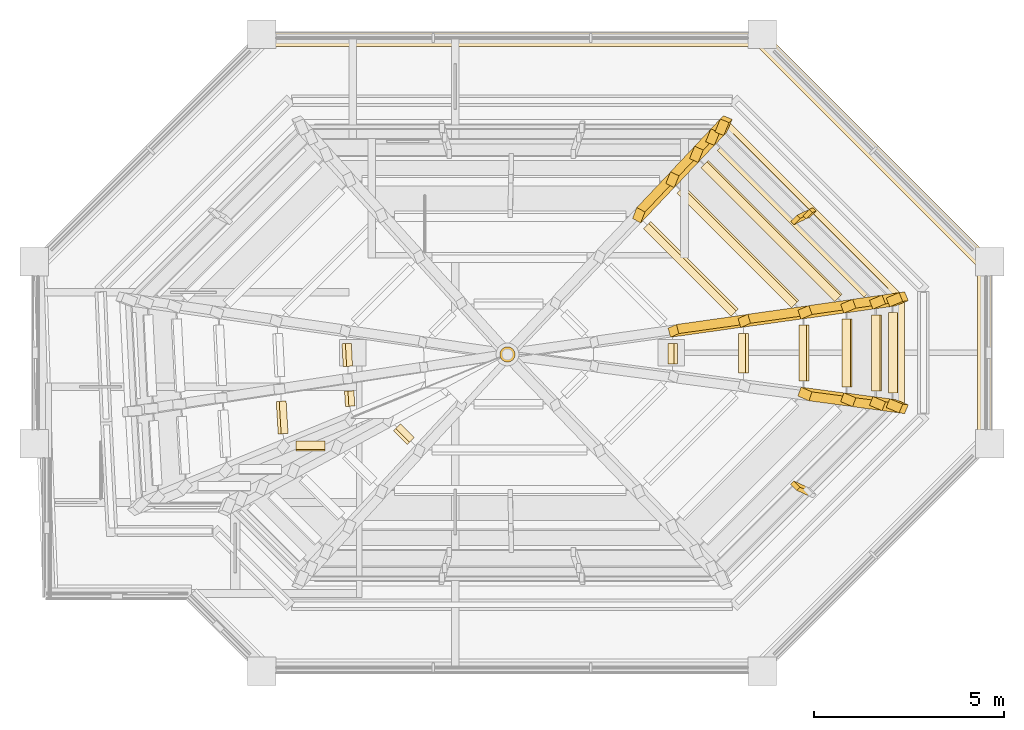
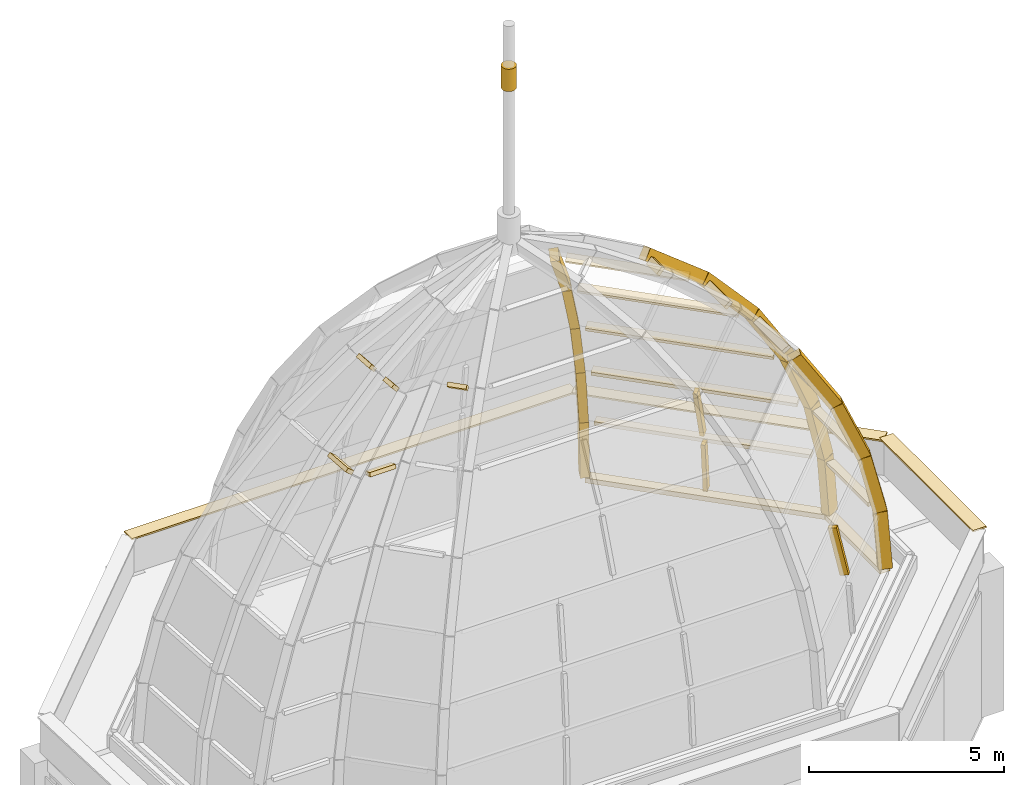
# One storey, part 9 of 9: 40 coverings.
"""IFC4 building model written with IfcOpenShell, lengths in metres."""

from ifc_helpers import new_model, si_unit, direction, frame, origin, origin_2d, place, context, subcontext, project, spatial, polyline, rectangle, circle, outline, extrude, material, layer, layer_set, material_profile, profile_set, type_object, element, save


model = new_model("IFC4")

# Units and contexts
model_context = context("Model", 3, precision=1e-05, world=origin(), true_north=direction((0.0, 1.0)))
body_context = subcontext(model_context, "Body", "Model", "MODEL_VIEW")
ifc_project = project(units=[si_unit("LENGTHUNIT", "METRE"), si_unit("AREAUNIT", "SQUARE_METRE"), si_unit("VOLUMEUNIT", "CUBIC_METRE"), si_unit("PLANEANGLEUNIT", "RADIAN"), si_unit("MASSUNIT", "GRAM", prefix="KILO")], contexts=[model_context])

# Site, building, storey
site_placement = place(None, origin())
site = spatial("IfcSite", under=ifc_project, at=site_placement, CompositionType="ELEMENT")
building_placement = place(site_placement, origin())
building = spatial("IfcBuilding", under=site, at=building_placement, Name="Kawkab Arch Medical Tower", CompositionType="ELEMENT")
storey_placement = place(building_placement, frame((0.0, 0.0, 359.199951171875)))
storey = spatial("IfcBuildingStorey", under=building, at=storey_placement, Name="L83", CompositionType="ELEMENT", Elevation=359.199951171875)

# Coverings
ifc_material_1 = material(Name="Bronze painted steel hip rib", Category="steel")
ifc_layer_1 = layer(ifc_material_1, 0.3701171875)
ifc_layer_set_1 = layer_set([ifc_layer_1], Name="Bronze painted steel hip rib")
covering_type_1 = type_object("IfcCoveringType", Name="Crown hip rib 250 x 370", PredefinedType="CLADDING", material=ifc_layer_set_1)
covering_1_placement = place(storey_placement, frame((23.05029296875, -34.974365234375, 4.669921875), z_axis=(0.920725933012, -0.382327285273, 0.078035909774), x_axis=(-0.080092048111, 0.010561696902, 0.996731515699)))
element("IfcCovering", 1, at=covering_1_placement, inside=storey, type_object=covering_type_1, Name="Crown hip rib, peak B 5 row 1", PredefinedType="CLADDING", context=body_context, shape_type="SweptSolid", body=[
    extrude(outline(polyline([(0.0, 0.0), (1.8257925363513796, -6.938893903907228e-18), (1.825888547999766, 0.24995968539163893), (-0.00014733100681364915, 0.2499647871853624), (0.0, 0.0)])), origin(), (0.0, 0.0, -1.0), 0.3701171875),
])
covering_2_placement = place(storey_placement, frame((22.954833984375, -31.99462890625, 4.664794921875), z_axis=(0.920734626028, 0.382253942216, 0.078292222434), x_axis=(-0.080090413527, -0.011232701715, 0.996724310967)))
element("IfcCovering", 2, at=covering_2_placement, inside=storey, type_object=covering_type_1, Name="Crown hip rib, peak B 6 row 1", PredefinedType="CLADDING", context=body_context, shape_type="SweptSolid", body=[
    extrude(outline(polyline([(0.0, 0.0), (1.8260491803974654, 0.0), (1.8258649202296509, 0.24995474749738494), (5.908072841759055e-05, 0.2499596968477003), (0.0, 0.0)])), origin(), (0.0, 0.0, -1.0), 0.3701171875),
])
covering_3_placement = place(storey_placement, frame((18.174560546875, -27.34912109375, 4.660400390625), z_axis=(0.381807006846, 0.922262998546, 0.060451393999), x_axis=(-0.044564476964, -0.04696008435, 0.997902178508)))
element("IfcCovering", 3, at=covering_3_placement, inside=storey, type_object=covering_type_1, Name="Crown hip rib, peak B 7 row 1", PredefinedType="CLADDING", context=body_context, shape_type="SweptSolid", body=[
    extrude(outline(polyline([(0.0, 0.0), (1.823897387991231, 0.0), (1.8239576834566311, 0.2501626561506229), (7.117546465884497e-05, 0.24993727356811127), (0.0, 0.0)])), origin(), (0.0, 0.0, -1.0), 0.3701171875),
])
covering_4_placement = place(storey_placement, frame((22.8974609375, -34.953125, 6.52880859375), z_axis=(0.897765948343, -0.3743036571, 0.232191891067), x_axis=(-0.237978501547, 0.031402890095, 0.970762633858)))
element("IfcCovering", 4, at=covering_4_placement, inside=storey, type_object=covering_type_1, Name="Crown hip rib, peak B 5 row 2", PredefinedType="CLADDING", context=body_context, shape_type="SweptSolid", body=[
    extrude(outline(polyline([(0.0, 0.0), (1.8746141336956985, -2.7755575615628914e-17), (1.8747223379408136, 0.2500320286288099), (-0.00018689857114590099, 0.24995640174345043), (0.0, 0.0)])), origin(), (0.0, 0.0, -1.0), 0.3701171875),
])
covering_5_placement = place(storey_placement, frame((22.8046875, -32.0166015625, 6.513916015625), z_axis=(0.897645948446, 0.374160765821, 0.232885105919), x_axis=(-0.237893442274, -0.033463937966, 0.970714620771)))
element("IfcCovering", 5, at=covering_5_placement, inside=storey, type_object=covering_type_1, Name="Crown hip rib, peak B 6 row 2", PredefinedType="CLADDING", context=body_context, shape_type="SweptSolid", body=[
    extrude(outline(polyline([(0.0, 0.0), (1.8749777951515183, 2.7755575615628914e-17), (1.8748802966926037, 0.2500029612028023), (-9.749845891447208e-05, 0.25000296120280235), (0.0, 0.0)])), origin(), (0.0, 0.0, -1.0), 0.3701171875),
])
covering_6_placement = place(storey_placement, frame((18.09228515625, -27.436767578125, 6.50146484375), z_axis=(0.374579618975, 0.909270849727, 0.1814294102), x_axis=(-0.133312445114, -0.140826396185, 0.981017695108)))
element("IfcCovering", 6, at=covering_6_placement, inside=storey, type_object=covering_type_1, Name="Crown hip rib, peak B 7 row 2", PredefinedType="CLADDING", context=body_context, shape_type="SweptSolid", body=[
    extrude(outline(polyline([(0.0, 0.0), (1.8552775067992082, 1.3877787807814457e-17), (1.8552682874548205, 0.24986239025542156), (-4.176632805838118e-05, 0.2500864041331629), (0.0, 0.0)])), origin(), (0.0, 0.0, -1.0), 0.3701171875),
])
covering_7_placement = place(storey_placement, frame((22.438720703125, -34.89013671875, 8.3857421875), z_axis=(0.852328360908, -0.358934255386, 0.380397904178), x_axis=(-0.388954368043, 0.051221932938, 0.919831948329)))
element("IfcCovering", 7, at=covering_7_placement, inside=storey, type_object=covering_type_1, Name="Crown hip rib, peak B 5 row 3", PredefinedType="CLADDING", context=body_context, shape_type="SweptSolid", body=[
    extrude(outline(polyline([(0.0, 0.0), (1.9786592883379024, 5.551115123125783e-17), (1.9784924369834511, 0.24994091244993794), (4.521163758761798e-05, 0.2501450152680347), (0.0, 0.0)])), origin(), (0.0, 0.0, -1.0), 0.3701171875),
])
covering_8_placement = place(storey_placement, frame((22.35107421875, -32.08203125, 8.3623046875), z_axis=(0.852133586579, 0.358211444671, 0.381513972917), x_axis=(-0.388784460891, -0.054671851398, 0.919705187348)))
element("IfcCovering", 8, at=covering_8_placement, inside=storey, type_object=covering_type_1, Name="Crown hip rib, peak B 6 row 3", PredefinedType="CLADDING", context=body_context, shape_type="SweptSolid", body=[
    extrude(outline(polyline([(0.0, 0.0), (1.9789261811803058, -8.326672684688674e-17), (1.9790101904657782, 0.24984840327431682), (-1.0908795799832727e-05, 0.2499339274440104), (0.0, 0.0)])), origin(), (0.0, 0.0, -1.0), 0.3701171875),
])
covering_9_placement = place(storey_placement, frame((17.843017578125, -27.701904296875, 8.3427734375), z_axis=(0.360362057209, 0.882237662065, 0.302978374407), x_axis=(-0.221932450301, -0.234386363494, 0.946471880254)))
element("IfcCovering", 9, at=covering_9_placement, inside=storey, type_object=covering_type_1, Name="Crown hip rib, peak B 7 row 3", PredefinedType="CLADDING", context=body_context, shape_type="SweptSolid", body=[
    extrude(outline(polyline([(0.0, 0.0), (1.9229890179270728, 2.7755575615628914e-17), (1.923023176340359, 0.2498178948865631), (-2.0024313837893604e-05, 0.2500390929183601), (0.0, 0.0)])), origin(), (0.0, 0.0, -1.0), 0.3701171875),
])
covering_10_placement = place(storey_placement, frame((21.65087890625, -34.78271484375, 10.23974609375), z_axis=(0.785643096115, -0.33591812234, 0.519542048934), x_axis=(-0.529329767487, 0.069753119135, 0.845543907567)))
element("IfcCovering", 10, at=covering_10_placement, inside=storey, type_object=covering_type_1, Name="Crown hip rib, peak B 5 row 4", PredefinedType="CLADDING", context=body_context, shape_type="SweptSolid", body=[
    extrude(outline(polyline([(0.0, 0.0), (2.1525415097752214, 5.551115123125783e-17), (2.1525364147493695, 0.25003909753781917), (-5.095025851473839e-06, 0.25003909753781917), (0.0, 0.0)])), origin(), (0.0, 0.0, -1.0), 0.3701171875),
])
covering_11_placement = place(storey_placement, frame((21.570556640625, -32.194580078125, 10.2099609375), z_axis=(0.785127787988, 0.334892190686, 0.520981359693), x_axis=(-0.529159921098, -0.07436708943, 0.845256951414)))
element("IfcCovering", 11, at=covering_11_placement, inside=storey, type_object=covering_type_1, Name="Crown hip rib, peak B 6 row 4", PredefinedType="CLADDING", context=body_context, shape_type="SweptSolid", body=[
    extrude(outline(polyline([(0.0, 0.0), (2.1530565132491573, 2.7755575615628914e-17), (2.1530662090844723, 0.25007768408772413), (-8.563231891984754e-05, 0.24974078104767808), (0.0, 0.0)])), origin(), (0.0, 0.0, -1.0), 0.3701171875),
])
covering_12_placement = place(storey_placement, frame((17.413330078125, -28.158935546875, 10.184814453125), z_axis=(0.33718622178, 0.839961796002, 0.425170122538), x_axis=(-0.30999688562, -0.327370943671, 0.892597443502)))
element("IfcCovering", 12, at=covering_12_placement, inside=storey, type_object=covering_type_1, Name="Crown hip rib, peak B 7 row 4", PredefinedType="CLADDING", context=body_context, shape_type="SweptSolid", body=[
    extrude(outline(polyline([(0.0, 0.0), (2.0390449311943946, -2.220446049250313e-16), (2.038921779580166, 0.24990243204213947), (9.476768350131365e-05, 0.24993905327485044), (0.0, 0.0)])), origin(), (0.0, 0.0, -1.0), 0.3701171875),
])
covering_13_placement = place(storey_placement, frame((20.416259765625, -32.360595703125, 12.05615234375), z_axis=(0.697390894593, 0.303120526194, 0.649433512177), x_axis=(-0.656785202622, -0.092370240754, 0.748398915178)))
element("IfcCovering", 13, at=covering_13_placement, inside=storey, type_object=covering_type_1, Name="Crown hip rib, peak B 6 row 5", PredefinedType="CLADDING", context=body_context, shape_type="SweptSolid", body=[
    extrude(outline(polyline([(0.0, 0.0), (2.431880695727511, 2.7755575615628914e-17), (2.431667635566636, 0.24993670770590146), (-3.034558197416784e-05, 0.24996958536981306), (0.0, 0.0)])), origin(), (0.0, 0.0, -1.0), 0.3701171875),
])
covering_14_placement = place(storey_placement, frame((16.77734375, -28.835693359375, 12.0283203125), z_axis=(0.306322082365, 0.77771586803, 0.548930606243), x_axis=(-0.397417902475, -0.419511896625, 0.816130369109)))
element("IfcCovering", 14, at=covering_14_placement, inside=storey, type_object=covering_type_1, Name="Crown hip rib, peak B 7 row 5", PredefinedType="CLADDING", context=body_context, shape_type="SweptSolid", body=[
    extrude(outline(polyline([(0.0, 0.0), (2.2298907092753666, 5.551115123125783e-17), (2.2298462891521544, 0.25001022604434064), (-0.00014664484651139703, 0.24975495922075158), (0.0, 0.0)])), origin(), (0.0, 0.0, -1.0), 0.3701171875),
])
covering_15_placement = place(storey_placement, frame((18.801513671875, -32.592529296875, 13.899658203125), z_axis=(0.596888408603, 0.26397118556, 0.757656545454), x_axis=(-0.762481691063, -0.107255311485, 0.638057966764)))
element("IfcCovering", 15, at=covering_15_placement, inside=storey, type_object=covering_type_1, Name="Crown hip rib, peak B 6 row 6", PredefinedType="CLADDING", context=body_context, shape_type="SweptSolid", body=[
    extrude(outline(polyline([(0.0, 0.0), (2.4446514319972814, 0.0), (2.444834733427783, 0.24984383829791218), (-0.00015862719689782243, 0.24987128894804714), (0.0, 0.0)])), origin(), (0.0, 0.0, -1.0), 0.3701171875),
])
ifc_material_2 = material(Name="Bronze anodised aluminium joint bar", Category="aluminium")
ifc_layer_2 = layer(ifc_material_2, 0.239990234375)
ifc_layer_set_2 = layer_set([ifc_layer_2], Name="Bronze anodised aluminium joint bar")
covering_type_2 = type_object("IfcCoveringType", Name="Crown joint bar 120 x 240", PredefinedType="CLADDING", material=ifc_layer_set_2)
covering_16_placement = place(storey_placement, frame((22.778076171875, -34.66162109375, 6.419921875), z_axis=(0.996847539678, 0.0, 0.079340926627), x_axis=(0.0, 1.0, 0.0)))
element("IfcCovering", 16, at=covering_16_placement, inside=storey, type_object=covering_type_2, Name="Crown joint bar, peak B face 5 ring 1", PredefinedType="CLADDING", context=body_context, shape_type="SweptSolid", body=[
    extrude(outline(polyline([(0.0, 0.0), (2.121826171875, 0.0), (2.121826171875, 0.12000722426285286), (0.0, 0.12000722426285286), (0.0, 0.0)])), origin(), (0.0, 0.0, -1.0), 0.239990234375),
])
covering_17_placement = place(storey_placement, frame((22.51123046875, -31.8974609375, 6.41796875), z_axis=(0.705685672054, 0.705685672054, 0.063367693001), x_axis=(-0.707106781187, 0.707106781187, 0.0)))
element("IfcCovering", 17, at=covering_17_placement, inside=storey, type_object=covering_type_2, Name="Crown joint bar, peak B face 6 ring 1", PredefinedType="CLADDING", context=body_context, shape_type="SweptSolid", body=[
    extrude(outline(polyline([(0.0, 0.0), (5.7549100726647335, 0.0), (5.7549100726647335, 0.11986981482722774), (0.0, 0.11986981482722775), (0.0, 0.0)])), origin(), (0.0, 0.0, -1.0), 0.239990234375),
])
covering_18_placement = place(storey_placement, frame((22.33837890625, -34.602783203125, 8.26025390625), z_axis=(0.971326048848, 0.0, 0.237751355053), x_axis=(0.0, 1.0, 0.0)))
element("IfcCovering", 18, at=covering_18_placement, inside=storey, type_object=covering_type_2, Name="Crown joint bar, peak B face 5 ring 2", PredefinedType="CLADDING", context=body_context, shape_type="SweptSolid", body=[
    extrude(outline(polyline([(0.0, 0.0), (2.00048828125, 0.0), (2.00048828125, 0.12014422848889028), (0.0, 0.12014422848889028), (0.0, 0.0)])), origin(), (0.0, 0.0, -1.0), 0.239990234375),
])
covering_19_placement = place(storey_placement, frame((22.069091796875, -31.9560546875, 8.25439453125), z_axis=(0.693634326084, 0.693634326084, 0.194275174318), x_axis=(-0.707106781187, 0.707106781187, 0.0)))
element("IfcCovering", 19, at=covering_19_placement, inside=storey, type_object=covering_type_2, Name="Crown joint bar, peak B face 6 ring 2", PredefinedType="CLADDING", context=body_context, shape_type="SweptSolid", body=[
    extrude(outline(polyline([(0.0, 0.0), (5.4738627485017215, 0.0), (5.474035381993222, 0.11996139720057289), (-0.00017263349150062161, 0.11996139720057283), (0.0, 0.0)])), origin(), (0.0, 0.0, -1.0), 0.239990234375),
])
covering_20_placement = place(storey_placement, frame((21.572021484375, -34.501220703125, 10.1015625), z_axis=(0.920714591277, 0.0, 0.390236647958), x_axis=(0.0, 1.0, 0.0)))
element("IfcCovering", 20, at=covering_20_placement, inside=storey, type_object=covering_type_2, Name="Crown joint bar, peak B face 5 ring 3", PredefinedType="CLADDING", context=body_context, shape_type="SweptSolid", body=[
    extrude(outline(polyline([(0.0, 0.0), (1.79052734375, 0.0), (1.79052734375, 0.12011942047276593), (0.0, 0.12011942047276593), (0.0, 0.0)])), origin(), (0.0, 0.0, -1.0), 0.239990234375),
])
covering_21_placement = place(storey_placement, frame((21.30224609375, -32.061767578125, 10.092041015625), z_axis=(0.669174235009, 0.669197388224, 0.323080019182), x_axis=(-0.707117736865, 0.707095825318, -5.2894e-06)))
element("IfcCovering", 21, at=covering_21_placement, inside=storey, type_object=covering_type_2, Name="Crown joint bar, peak B face 6 ring 3", PredefinedType="CLADDING", context=body_context, shape_type="SweptSolid", body=[
    extrude(outline(polyline([(0.0, 0.0), (4.9894531706822995, 1.1102230246251565e-16), (4.989625805511175, 0.11998645846228344), (-1.3373515454504233e-09, 0.11993068403053044), (0.0, 0.0)])), origin(), (0.0, 0.0, -1.0), 0.239990234375),
])
covering_22_placement = place(storey_placement, frame((20.43212890625, -34.35107421875, 11.94287109375), z_axis=(0.847081869236, 0.0, 0.531462422766), x_axis=(0.0, 1.0, 0.0)))
element("IfcCovering", 22, at=covering_22_placement, inside=storey, type_object=covering_type_2, Name="Crown joint bar, peak B face 5 ring 4", PredefinedType="CLADDING", context=body_context, shape_type="SweptSolid", body=[
    extrude(outline(polyline([(0.0, 0.0), (1.480224609375, 0.0), (1.480224609375, 0.11989691160740708), (0.0, 0.11989691160740708), (0.0, 0.0)])), origin(), (0.0, 0.0, -1.0), 0.239990234375),
])
covering_23_placement = place(storey_placement, frame((20.163818359375, -32.22119140625, 11.9306640625), z_axis=(0.631110160818, 0.631110160818, 0.450998813552), x_axis=(-0.707112592434, 0.707100969704, 1.6264395e-05)))
element("IfcCovering", 23, at=covering_23_placement, inside=storey, type_object=covering_type_2, Name="Crown joint bar, peak B face 6 ring 4", PredefinedType="CLADDING", context=body_context, shape_type="SweptSolid", body=[
    extrude(outline(polyline([(0.0, 0.0), (4.272506281858288, 1.1102230246251565e-16), (4.272508463731058, 0.11973239744323674), (2.184710350748952e-06, 0.11988811244290312), (0.0, 0.0)])), origin(), (0.0, 0.0, -1.0), 0.239990234375),
])
covering_24_placement = place(storey_placement, frame((6.908935546875, -36.1923828125, 13.73193359375), z_axis=(0.0, -0.946834784353, 0.321720206296), x_axis=(1.0, 0.0, 0.0)))
element("IfcCovering", 24, at=covering_24_placement, inside=storey, type_object=covering_type_2, Name="Crown joint bar, peak B face 1 ring 5", PredefinedType="CLADDING", context=body_context, shape_type="SweptSolid", body=[
    extrude(outline(polyline([(0.0, 0.0), (0.76318359375, 0.0), (0.76318359375, 0.11989989436497303), (0.0, 0.11989989436497303), (0.0, 0.0)])), origin(), (0.0, 0.0, -1.0), 0.239990234375),
])
covering_25_placement = place(storey_placement, frame((18.831298828125, -34.140625, 13.7841796875), z_axis=(0.751440225051, 0.0, 0.659801173215), x_axis=(0.0, 1.0, 0.0)))
element("IfcCovering", 25, at=covering_25_placement, inside=storey, type_object=covering_type_2, Name="Crown joint bar, peak B face 5 ring 5", PredefinedType="CLADDING", context=body_context, shape_type="SweptSolid", body=[
    extrude(outline(polyline([(0.0, 0.0), (1.045166015625, 0.0), (1.045166015625, 0.11988696854622427), (0.0, 0.11988696854622427), (0.0, 0.0)])), origin(), (0.0, 0.0, -1.0), 0.239990234375),
])
covering_26_placement = place(storey_placement, frame((18.5654296875, -32.44677734375, 13.7705078125), z_axis=(0.577125561282, 0.577095064264, 0.577829882679), x_axis=(-0.707081858947, 0.707131702437, -1.2461356e-05)))
element("IfcCovering", 26, at=covering_26_placement, inside=storey, type_object=covering_type_2, Name="Crown joint bar, peak B face 6 ring 5", PredefinedType="CLADDING", context=body_context, shape_type="SweptSolid", body=[
    extrude(outline(polyline([(0.0, 0.0), (3.266743563468088, 0.0), (3.2667398975634403, 0.12000273336487703), (-0.00017629331161717694, 0.11990297530334254), (0.0, 0.0)])), origin(), (0.0, 0.0, -1.0), 0.239990234375),
])
covering_27_placement = place(storey_placement, frame((6.383056640625, -34.88818359375, 13.781982421875), z_axis=(-0.760755371402, -0.045632284489, 0.647432590696), x_axis=(0.059875244871, -0.998205868071, 0.0)))
element("IfcCovering", 27, at=covering_27_placement, inside=storey, type_object=covering_type_2, Name="Crown joint bar, peak B face 10 ring 5", PredefinedType="CLADDING", context=body_context, shape_type="SweptSolid", body=[
    extrude(outline(polyline([(0.0, 0.0), (0.8562725941259609, -6.938893903907228e-18), (0.8562907621864513, 0.12012859866198142), (1.8168060490429336e-05, 0.12012859866198142), (0.0, 0.0)])), origin(), (0.0, 0.0, -1.0), 0.239990234375),
])
covering_28_placement = place(storey_placement, frame((9.479248046875, -35.656982421875, 15.34814453125), z_axis=(-0.516520320502, -0.516693707652, 0.682813569711), x_axis=(0.707280762146, -0.706932752449, 8.3743247e-05)))
element("IfcCovering", 28, at=covering_28_placement, inside=storey, type_object=covering_type_2, Name="Crown joint bar, peak B face 2 ring 6", PredefinedType="CLADDING", context=body_context, shape_type="SweptSolid", body=[
    extrude(outline(polyline([(0.0, 0.0), (0.514275196287654, -2.7755575615628914e-17), (0.5143026723921061, 0.11990733119763797), (-0.00014511489956366315, 0.12002524725161204), (0.0, 0.0)])), origin(), (0.0, 0.0, -1.0), 0.239990234375),
])
covering_29_placement = place(storey_placement, frame((16.960205078125, -33.894775390625, 15.363525390625), z_axis=(0.642187487983, 0.0, 0.766547604704), x_axis=(0.0, 1.0, 0.0)))
element("IfcCovering", 29, at=covering_29_placement, inside=storey, type_object=covering_type_2, Name="Crown joint bar, peak B face 5 ring 6", PredefinedType="CLADDING", context=body_context, shape_type="SweptSolid", body=[
    extrude(outline(polyline([(0.0, 0.0), (0.537109375, 0.0), (0.537109375, 0.11975365187585622), (0.0, 0.11975365187585622), (0.0, 0.0)])), origin(), (0.0, 0.0, -1.0), 0.239990234375),
])
covering_30_placement = place(storey_placement, frame((8.11669921875, -33.36328125, 15.361572265625), z_axis=(-0.653004842282, -0.033133998492, 0.756628583983), x_axis=(0.050669750464, -0.998715463164, -5.080749e-06)))
element("IfcCovering", 30, at=covering_30_placement, inside=storey, type_object=covering_type_2, Name="Crown joint bar, peak B face 9 ring 6", PredefinedType="CLADDING", context=body_context, shape_type="SweptSolid", body=[
    extrude(outline(polyline([(0.0, 0.0), (0.6023360888777178, -3.469446951953614e-18), (0.6022924494005691, 0.11986359109350553), (0.00020018754022503593, 0.1198542319959004), (0.0, 0.0)])), origin(), (0.0, 0.0, -1.0), 0.239990234375),
])
covering_31_placement = place(storey_placement, frame((8.18310546875, -34.614990234375, 15.361572265625), z_axis=(-0.652433266554, -0.039410043283, 0.756820772166), x_axis=(0.060284422504, -0.998181240218, -8.989163e-06)))
element("IfcCovering", 31, at=covering_31_placement, inside=storey, type_object=covering_type_2, Name="Crown joint bar, peak B face 10 ring 6", PredefinedType="CLADDING", context=body_context, shape_type="SweptSolid", body=[
    extrude(outline(polyline([(0.0, 0.0), (0.4050333437624312, 0.0), (0.4048879498910346, 0.11990527431433176), (9.830272045343916e-05, 0.11989413695145082), (0.0, 0.0)])), origin(), (0.0, 0.0, -1.0), 0.239990234375),
])
covering_32_placement = place(storey_placement, frame((20.535400390625, -29.774658203125, 4.816162109375), z_axis=(0.705567073413, 0.705679169153, 0.06474577313), x_axis=(-0.062489719878, -0.029051677572, 0.997622691672)))
element("IfcCovering", 32, at=covering_32_placement, inside=storey, type_object=covering_type_2, Name="Crown joint bar, peak B face 6 row 1 joint 1", PredefinedType="CLADDING", context=body_context, shape_type="SweptSolid", body=[
    extrude(outline(polyline([(0.0, 0.0), (1.504064417836282, 6.938893903907228e-18), (1.5041614694224972, 0.1200161245875332), (-0.00014650864124391436, 0.1200103629209115), (0.0, 0.0)])), origin(), (0.0, 0.0, -1.0), 0.239990234375),
])
covering_33_placement = place(storey_placement, frame((20.484375, -37.27783203125, 6.654052734375), z_axis=(0.693804245404, -0.693950053222, 0.192533095058), x_axis=(-0.186549771922, 0.085041106506, 0.978757984795)))
element("IfcCovering", 33, at=covering_33_placement, inside=storey, type_object=covering_type_2, Name="Crown joint bar, peak B face 4 row 2 joint 1", PredefinedType="CLADDING", context=body_context, shape_type="SweptSolid", body=[
    extrude(outline(polyline([(0.0, 0.0), (1.5392773654877436, 4.163336342344337e-17), (1.5394416287032244, 0.11993257169344594), (-9.545335954402531e-05, 0.12012432896724234), (0.0, 0.0)])), origin(), (0.0, 0.0, -1.0), 0.239990234375),
])
covering_34_placement = place(storey_placement, frame((20.40087890625, -29.837890625, 6.645751953125), z_axis=(0.694157155784, 0.693178690712, 0.194033878013), x_axis=(-0.186457588715, -0.087203804246, 0.978585236009)))
element("IfcCovering", 34, at=covering_34_placement, inside=storey, type_object=covering_type_2, Name="Crown joint bar, peak B face 6 row 2 joint 1", PredefinedType="CLADDING", context=body_context, shape_type="SweptSolid", body=[
    extrude(outline(polyline([(0.0, 0.0), (1.5398106184849327, 6.938893903907228e-17), (1.5398592370831805, 0.12010725283408599), (4.86185982478491e-05, 0.12010725283408594), (0.0, 0.0)])), origin(), (0.0, 0.0, -1.0), 0.239990234375),
])
ifc_material_3 = material(Name="Bronze anodised aluminium sill", Category="aluminium")
ifc_layer_3 = layer(ifc_material_3, 0.14990234375)
ifc_layer_set_3 = layer_set([ifc_layer_3], Name="Bronze anodised aluminium sill")
covering_type_3 = type_object("IfcCoveringType", Name="Crown sill 300 x 150", PredefinedType="CLADDING", material=ifc_layer_set_3)
covering_35_placement = place(storey_placement, frame((22.800048828125, -33.60009765625, 4.5), z_axis=(0.0, 0.0, 1.0), x_axis=(0.0, 1.0, 0.0)))
element("IfcCovering", 35, at=covering_35_placement, inside=storey, type_object=covering_type_3, Name="Crown sill, peak B 5", PredefinedType="CLADDING", context=body_context, shape_type="SweptSolid", body=[
    extrude(rectangle(XDim=2.93603515625, YDim=0.300048828125, at=origin_2d()), origin(), (0.0, 0.0, 1.0), 0.14990234375),
])
covering_36_placement = place(storey_placement, frame((20.5029296875, -29.897216796875, 4.5), z_axis=(0.0, 0.0, 1.0), x_axis=(-0.707106781187, 0.707106781187, 0.0)))
element("IfcCovering", 36, at=covering_36_placement, inside=storey, type_object=covering_type_3, Name="Crown sill, peak B 6", PredefinedType="CLADDING", context=body_context, shape_type="SweptSolid", body=[
    extrude(rectangle(XDim=6.372802734375, YDim=0.300048828125, at=origin_2d()), origin(), (0.0, 0.0, 1.0), 0.14990234375),
])
ifc_material_4 = material(Name="Bronze anodised aluminium spire", Category="aluminium")
ifc_material_profile = material_profile(ifc_material_4, circle(Radius=0.199951171875, at=origin_2d()), Name="Finial cap 400")
ifc_profile_set = profile_set([ifc_material_profile], Name="Bronze anodised aluminium spire")
covering_type_4 = type_object("IfcCoveringType", Name="Finial cap 400", PredefinedType="CLADDING", material=ifc_profile_set)
covering_37_placement = place(storey_placement, frame((12.47998046875, -33.645263671875, 22.449951171875), z_axis=(0.0, 0.0, 1.0), x_axis=(1.0, 0.0, 0.0)))
element("IfcCovering", 37, at=covering_37_placement, inside=storey, type_object=covering_type_4, Name="Spire ring, peak B", PredefinedType="CLADDING", context=body_context, shape_type="SweptSolid", body=[
    extrude(circle(Radius=0.199951171875, at=origin_2d()), origin(), (0.0, 0.0, 1.0), 0.7001953125),
])
ifc_material_5 = material(Name="Bronze anodised aluminium coping", Category="aluminium")
ifc_layer_4 = layer(ifc_material_5, 0.050048828125)
ifc_layer_set_4 = layer_set([ifc_layer_4], Name="Bronze anodised aluminium coping")
covering_type_5 = type_object("IfcCoveringType", Name="Parapet coping 400 x 50", PredefinedType="CLADDING", material=ifc_layer_set_4)
covering_38_placement = place(storey_placement, frame((25.074951171875, -33.60009765625, 5.60009765625), z_axis=(0.0, 0.0, 1.0), x_axis=(0.0, 1.0, 0.0)))
element("IfcCovering", 38, at=covering_38_placement, inside=storey, type_object=covering_type_5, Name="Parapet coping, crown peak B 5", PredefinedType="CLADDING", context=body_context, shape_type="SweptSolid", body=[
    extrude(rectangle(XDim=4.800048828125, YDim=0.39990234375, at=origin_2d()), origin(), (0.0, 0.0, 1.0), 0.050048828125),
])
covering_39_placement = place(storey_placement, frame((22.111572265625, -28.288330078125, 5.60009765625), z_axis=(0.0, 0.0, 1.0), x_axis=(-0.707106781187, 0.707106781187, 0.0)))
element("IfcCovering", 39, at=covering_39_placement, inside=storey, type_object=covering_type_5, Name="Parapet coping, crown peak B 6", PredefinedType="CLADDING", context=body_context, shape_type="SweptSolid", body=[
    extrude(rectangle(XDim=8.2783203125, YDim=0.39990234375, at=origin_2d()), origin(), (0.0, 0.0, 1.0), 0.050048828125),
])
covering_40_placement = place(storey_placement, frame((12.60009765625, -25.324951171875, 5.60009765625), z_axis=(0.0, 0.0, 1.0), x_axis=(-1.0, 0.0, 0.0)))
element("IfcCovering", 40, at=covering_40_placement, inside=storey, type_object=covering_type_5, Name="Parapet coping, crown peak B 7", PredefinedType="CLADDING", context=body_context, shape_type="SweptSolid", body=[
    extrude(rectangle(XDim=13.199951171875, YDim=0.39990234375, at=origin_2d()), origin(), (0.0, 0.0, 1.0), 0.050048828125),
])

save(model, "model.ifc")
